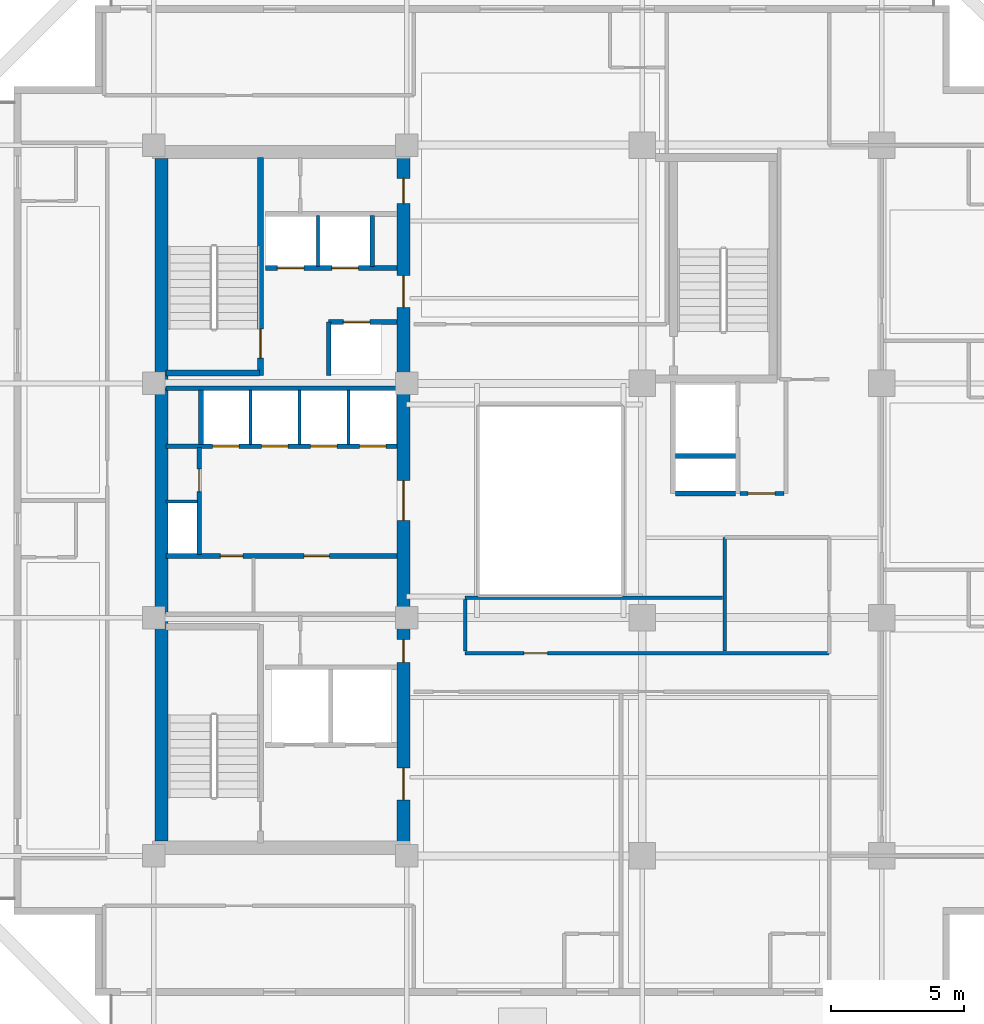
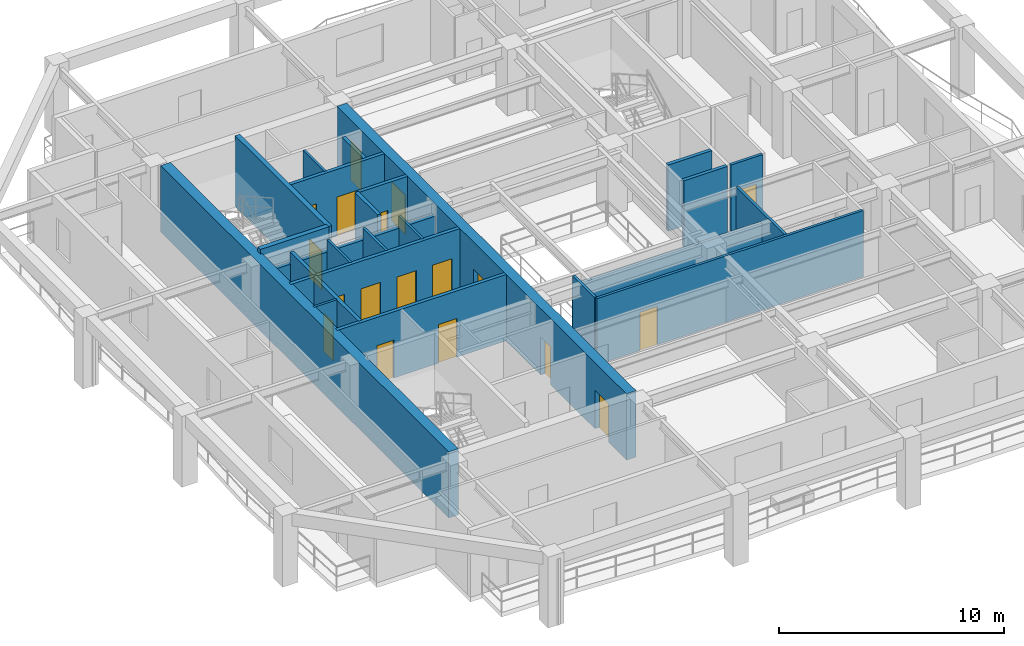
# One storey, part 4 of 11: 25 walls, 18 doors, 18 openings.
"""IFC4 building model written with IfcOpenShell, lengths in metres."""

from ifc_helpers import new_model, si_unit, direction, frame, frame_2d, origin, place, context, subcontext, project, spatial, rectangle, extrude, material, layer, layer_set, type_object, element, fill, save


model = new_model("IFC4")

# Units and contexts
model_context = context("Model", 3, precision=1e-05, world=origin(), true_north=direction((0.0, 1.0)))
body_context = subcontext(model_context, "Body", "Model", "MODEL_VIEW")
ifc_project = project(units=[si_unit("LENGTHUNIT", "METRE"), si_unit("AREAUNIT", "SQUARE_METRE"), si_unit("VOLUMEUNIT", "CUBIC_METRE"), si_unit("PLANEANGLEUNIT", "RADIAN"), si_unit("MASSUNIT", "GRAM", prefix="KILO")], contexts=[model_context])

# Site, building, storey
site_placement = place(None, origin())
site = spatial("IfcSite", under=ifc_project, at=site_placement, CompositionType="ELEMENT")
building_placement = place(site_placement, origin())
building = spatial("IfcBuilding", under=site, at=building_placement, Name="Kundavana Baori Tower", CompositionType="ELEMENT")
storey_placement = place(building_placement, frame((0.0, 0.0, 123.25)))
storey = spatial("IfcBuildingStorey", under=building, at=storey_placement, Name="L29", CompositionType="ELEMENT", Elevation=123.25)

# Wall, opening, door
ifc_material_1 = material(Name="Concrete C50/60", Category="concrete")
ifc_layer_1 = layer(ifc_material_1, 0.39990234375, Name="WL-CORE-400")
ifc_layer_set_1 = layer_set([ifc_layer_1], Name="Concrete C50/60")
wall_type_1 = type_object("IfcWallType", Name="WL-CORE-400", PredefinedType="SHEAR", material=ifc_layer_set_1)
wall_1_placement = place(storey_placement, frame((19.4599609375, 33.300048828125, 0.0), z_axis=(0.0, 0.0, 1.0), x_axis=(0.0, 1.0, 0.0)))
wall_1 = element("IfcWall", 1, at=wall_1_placement, inside=storey, type_object=wall_type_1, Name="WL-L29-ST2-E", PredefinedType="SHEAR", context=body_context, shape_type="SweptSolid", body=[
    extrude(rectangle(XDim=8.179931640625, YDim=0.239990234375, at=frame_2d((4.08984375, 0.0))), origin(), (0.0, 0.0, 1.0), 3.85009765625),
])
opening_1_placement = place(wall_1_placement, frame((0.64990234375, 0.0, 0.0)))
opening_1 = element("IfcOpeningElement", 2, at=opening_1_placement, cuts=wall_1, Name="Opening FD-110", PredefinedType="OPENING", context=body_context, shape_type="SweptSolid", body=[
    extrude(rectangle(XDim=1.10009765625, YDim=2.10009765625, at=frame_2d((0.550048828125, 1.050048828125))), frame((0.0, 0.1298828125, 0.0), z_axis=(0.0, -1.0, 0.0), x_axis=(1.0, 0.0, 0.0)), (0.0, 0.0, 1.0), 0.260009765625),
])
ifc_material_2 = material(Name="Galvanised Steel Fire-Rated Door Leaf", Category="steel")
door_type_1 = type_object("IfcDoorType", Name="DR-FD120-1100", OperationType="NOTDEFINED", PredefinedType="DOOR", material=ifc_material_2)
door_1_placement = place(opening_1_placement, origin())
door_1 = element("IfcDoor", 3, at=door_1_placement, inside=storey, type_object=door_type_1, Name="DR-L29-ST2", OperationType="SINGLE_SWING_RIGHT", OverallHeight=2.10009765625, OverallWidth=1.10009765625, PredefinedType="DOOR", context=body_context, shape_type="SweptSolid", body=[
    extrude(rectangle(XDim=1.10009765625, YDim=2.10009765625, at=frame_2d((0.550048828125, 1.050048828125))), frame((0.0, 0.02490234375, 0.0), z_axis=(0.0, -1.0, 0.0), x_axis=(1.0, 0.0, 0.0)), (0.0, 0.0, 1.0), 0.050048828125),
])
fill(opening_1, door_1)

# Walls
wall_2_placement = place(storey_placement, frame((15.89990234375, 33.389892578125, 0.0), z_axis=(0.0, 0.0, 1.0), x_axis=(1.0, 0.0, 0.0)))
element("IfcWall", 4, at=wall_2_placement, inside=storey, type_object=wall_type_1, Name="WL-L29-ST2-S", PredefinedType="SHEAR", context=body_context, shape_type="SweptSolid", body=[
    extrude(rectangle(XDim=3.52001953125, YDim=0.239990234375, at=frame_2d((1.760009765625, 0.0))), origin(), (0.0, 0.0, 1.0), 3.85009765625),
])
ifc_material_3 = material(Name="Concrete C50/60", Category="concrete")
ifc_layer_2 = layer(ifc_material_3, 0.5, Name="WL-CORE-500")
ifc_layer_set_2 = layer_set([ifc_layer_2], Name="Concrete C50/60")
wall_type_2 = type_object("IfcWallType", Name="WL-CORE-500", PredefinedType="SHEAR", material=ifc_layer_set_2)
wall_3_placement = place(storey_placement, frame((15.739990234375, 15.81005859375, 0.0), z_axis=(0.0, 0.0, 1.0), x_axis=(0.0, 1.0, 0.0)))
element("IfcWall", 5, at=wall_3_placement, inside=storey, type_object=wall_type_2, Name="L29 Offset Core West Shear Wall", PredefinedType="SHEAR", context=body_context, shape_type="SweptSolid", body=[
    extrude(rectangle(XDim=25.6298828125, YDim=0.5, at=frame_2d((12.81494140625, 0.0))), origin(), (0.0, 0.0, 1.0), 3.60009765625),
])

# Wall, openings, doors
wall_4_placement = place(storey_placement, frame((24.830078125, 15.739990234375, 0.0), z_axis=(0.0, 0.0, 1.0), x_axis=(0.0, 1.0, 0.0)))
wall_4 = element("IfcWall", 6, at=wall_4_placement, inside=storey, type_object=wall_type_2, Name="L29 Offset Core East Shear Wall", PredefinedType="SHEAR", context=body_context, shape_type="SweptSolid", body=[
    extrude(rectangle(XDim=25.760009765625, YDim=0.5, at=frame_2d((12.8798828125, 0.0))), origin(), (0.0, 0.0, 1.0), 3.60009765625),
])
opening_2_placement = place(wall_4_placement, frame((1.610107421875, 0.0, 0.0)))
opening_2 = element("IfcOpeningElement", 7, at=opening_2_placement, cuts=wall_4, Name="Opening FD-120", PredefinedType="OPENING", context=body_context, shape_type="SweptSolid", body=[
    extrude(rectangle(XDim=1.199951171875, YDim=2.10009765625, at=frame_2d((0.60009765625, 1.050048828125))), frame((0.0, 0.260009765625, 0.0), z_axis=(0.0, -1.0, 0.0), x_axis=(1.0, 0.0, 0.0)), (0.0, 0.0, 1.0), 0.52001953125),
])
opening_3_placement = place(wall_4_placement, frame((6.780029296875, 0.0, 0.0)))
opening_3 = element("IfcOpeningElement", 8, at=opening_3_placement, cuts=wall_4, Name="Opening FD-085", PredefinedType="OPENING", context=body_context, shape_type="SweptSolid", body=[
    extrude(rectangle(XDim=0.85009765625, YDim=2.06005859375, at=frame_2d((0.425048828125, 1.030029296875))), frame((0.0, 0.260009765625, 0.0), z_axis=(0.0, -1.0, 0.0), x_axis=(1.0, 0.0, 0.0)), (0.0, 0.0, 1.0), 0.52001953125),
])
opening_4_placement = place(wall_4_placement, frame((12.110107421875, 0.0, 0.0)))
opening_4 = element("IfcOpeningElement", 9, at=opening_4_placement, cuts=wall_4, Name="Opening FD-150", PredefinedType="OPENING", context=body_context, shape_type="SweptSolid", body=[
    extrude(rectangle(XDim=1.5, YDim=2.1201171875, at=frame_2d((0.75, 1.06005859375))), frame((0.0, 0.260009765625, 0.0), z_axis=(0.0, -1.0, 0.0), x_axis=(1.0, 0.0, 0.0)), (0.0, 0.0, 1.0), 0.52001953125),
])
opening_5_placement = place(wall_4_placement, frame((20.110107421875, 0.0, 0.0)))
opening_5 = element("IfcOpeningElement", 10, at=opening_5_placement, cuts=wall_4, Name="Opening FD-122", PredefinedType="OPENING", context=body_context, shape_type="SweptSolid", body=[
    extrude(rectangle(XDim=1.199951171875, YDim=2.1201171875, at=frame_2d((0.60009765625, 1.06005859375))), frame((0.0, 0.260009765625, 0.0), z_axis=(0.0, -1.0, 0.0), x_axis=(1.0, 0.0, 0.0)), (0.0, 0.0, 1.0), 0.52001953125),
])
opening_6_placement = place(wall_4_placement, frame((24.010009765625, 0.0, 0.0)))
opening_6 = element("IfcOpeningElement", 11, at=opening_6_placement, cuts=wall_4, Name="Opening FD-095", PredefinedType="OPENING", context=body_context, shape_type="SweptSolid", body=[
    extrude(rectangle(XDim=0.949951171875, YDim=2.10009765625, at=frame_2d((0.47509765625, 1.050048828125))), frame((0.0, 0.260009765625, 0.0), z_axis=(0.0, -1.0, 0.0), x_axis=(1.0, 0.0, 0.0)), (0.0, 0.0, 1.0), 0.52001953125),
])
ifc_material_4 = material(Name="Galvanised Steel Fire-Rated Door Leaf", Category="steel")
door_type_2 = type_object("IfcDoorType", Name="DR-FD120-1200", OperationType="NOTDEFINED", PredefinedType="DOOR", material=ifc_material_4)
door_2_placement = place(opening_2_placement, frame((1.199951171875, 0.0, 0.0), z_axis=(0.0, 0.0, 1.0), x_axis=(-1.0, 0.0, 0.0)))
door_2 = element("IfcDoor", 12, at=door_2_placement, inside=storey, type_object=door_type_2, Name="DR-L29-FFLOB-E", OperationType="SINGLE_SWING_RIGHT", OverallHeight=2.10009765625, OverallWidth=1.199951171875, PredefinedType="DOOR", context=body_context, shape_type="SweptSolid", body=[
    extrude(rectangle(XDim=1.199951171875, YDim=2.10009765625, at=frame_2d((0.60009765625, 1.050048828125))), frame((0.0, 0.02490234375, 0.0), z_axis=(0.0, -1.0, 0.0), x_axis=(1.0, 0.0, 0.0)), (0.0, 0.0, 1.0), 0.050048828125),
])
fill(opening_2, door_2)
ifc_material_5 = material(Name="Galvanised Steel Fire-Rated Door Leaf", Category="steel")
door_type_3 = type_object("IfcDoorType", Name="DR-FD60-1200", OperationType="NOTDEFINED", PredefinedType="DOOR", material=ifc_material_5)
door_3_placement = place(opening_5_placement, frame((1.199951171875, 0.0, 0.0), z_axis=(0.0, 0.0, 1.0), x_axis=(-1.0, 0.0, 0.0)))
door_3 = element("IfcDoor", 13, at=door_3_placement, inside=storey, type_object=door_type_3, Name="DR-L29-HRLOB-E", OperationType="SINGLE_SWING_RIGHT", OverallHeight=2.1201171875, OverallWidth=1.199951171875, PredefinedType="DOOR", context=body_context, shape_type="SweptSolid", body=[
    extrude(rectangle(XDim=1.199951171875, YDim=2.1201171875, at=frame_2d((0.60009765625, 1.06005859375))), frame((0.0, 0.02490234375, 0.0), z_axis=(0.0, -1.0, 0.0), x_axis=(1.0, 0.0, 0.0)), (0.0, 0.0, 1.0), 0.050048828125),
])
fill(opening_5, door_3)
ifc_material_6 = material(Name="Galvanised Steel Fire-Rated Door Leaf", Category="steel")
door_type_4 = type_object("IfcDoorType", Name="DR-FD60-1500", OperationType="NOTDEFINED", PredefinedType="DOOR", material=ifc_material_6)
door_4_placement = place(opening_4_placement, frame((1.5, 0.0, 0.0), z_axis=(0.0, 0.0, 1.0), x_axis=(-1.0, 0.0, 0.0)))
door_4 = element("IfcDoor", 14, at=door_4_placement, inside=storey, type_object=door_type_4, Name="DR-L29-LIFTHALL-E", OperationType="SINGLE_SWING_LEFT", OverallHeight=2.1201171875, OverallWidth=1.5, PredefinedType="DOOR", context=body_context, shape_type="SweptSolid", body=[
    extrude(rectangle(XDim=1.5, YDim=2.1201171875, at=frame_2d((0.75, 1.06005859375))), frame((0.0, 0.02490234375, 0.0), z_axis=(0.0, -1.0, 0.0), x_axis=(1.0, 0.0, 0.0)), (0.0, 0.0, 1.0), 0.050048828125),
])
fill(opening_4, door_4)
ifc_material_7 = material(Name="Galvanised Steel Fire-Rated Door Leaf", Category="steel")
door_type_5 = type_object("IfcDoorType", Name="DR-FD60-850", OperationType="NOTDEFINED", PredefinedType="DOOR", material=ifc_material_7)
door_5_placement = place(opening_3_placement, frame((0.85009765625, 0.0, 0.0), z_axis=(0.0, 0.0, 1.0), x_axis=(-1.0, 0.0, 0.0)))
door_5 = element("IfcDoor", 15, at=door_5_placement, inside=storey, type_object=door_type_5, Name="DR-L29-CSMK2", OperationType="SINGLE_SWING_LEFT", OverallHeight=2.06005859375, OverallWidth=0.85009765625, PredefinedType="DOOR", context=body_context, shape_type="SweptSolid", body=[
    extrude(rectangle(XDim=0.85009765625, YDim=2.06005859375, at=frame_2d((0.425048828125, 1.030029296875))), frame((0.0, 0.02490234375, 0.0), z_axis=(0.0, -1.0, 0.0), x_axis=(1.0, 0.0, 0.0)), (0.0, 0.0, 1.0), 0.050048828125),
])
fill(opening_3, door_5)
ifc_material_8 = material(Name="Engineered Teak Fire-Rated Timber Door Leaf", Category="wood")
door_type_6 = type_object("IfcDoorType", Name="DR-FD60-950", OperationType="NOTDEFINED", PredefinedType="DOOR", material=ifc_material_8)
door_6_placement = place(opening_6_placement, frame((0.949951171875, 0.0, 0.0), z_axis=(0.0, 0.0, 1.0), x_axis=(-1.0, 0.0, 0.0)))
door_6 = element("IfcDoor", 16, at=door_6_placement, inside=storey, type_object=door_type_6, Name="DR-L29-CSRV2", OperationType="SINGLE_SWING_LEFT", OverallHeight=2.10009765625, OverallWidth=0.949951171875, PredefinedType="DOOR", context=body_context, shape_type="SweptSolid", body=[
    extrude(rectangle(XDim=0.949951171875, YDim=2.10009765625, at=frame_2d((0.47509765625, 1.050048828125))), frame((0.0, 0.02490234375, 0.0), z_axis=(0.0, -1.0, 0.0), x_axis=(1.0, 0.0, 0.0)), (0.0, 0.0, 1.0), 0.050048828125),
])
fill(opening_6, door_6)

# Walls
ifc_material_9 = material(Name="Acoustic Gypsum Plasterboard on Galvanised Steel Studs", Category="steel")
ifc_layer_3 = layer(ifc_material_9, 0.1201171875, Name="WL-PART-120")
ifc_layer_set_3 = layer_set([ifc_layer_3], Name="Acoustic Gypsum Plasterboard on Galvanised Steel Studs")
wall_type_3 = type_object("IfcWallType", Name="WL-PART-120", PredefinedType="PARTITIONING", material=ifc_layer_set_3)
wall_5_placement = place(storey_placement, frame((15.89990234375, 28.56005859375, 0.0), z_axis=(0.0, 0.0, 1.0), x_axis=(1.0, 0.0, 0.0)))
element("IfcWall", 17, at=wall_5_placement, inside=storey, type_object=wall_type_3, Name="WL-L29-RSRW-N", PredefinedType="PARTITIONING", context=body_context, shape_type="SweptSolid", body=[
    extrude(rectangle(XDim=1.2001953125, YDim=0.1201171875, at=frame_2d((0.60009765625, 0.0))), origin(), (0.0, 0.0, 1.0), 3.60009765625),
])
for number, where, z_axis, x_axis, name in (
    (18, (19.080078125, 30.699951171875, 0.0), (0.0, 0.0, 1.0), (0.0, 1.0, 0.0), "WL-L29-LPMID-D1"),
    (19, (20.919921875, 30.699951171875, 0.0), (0.0, 0.0, 1.0), (0.0, 1.0, 0.0), "WL-L29-LPMID-D2"),
    (20, (22.760009765625, 30.699951171875, 0.0), (0.0, 0.0, 1.0), (0.0, 1.0, 0.0), "WL-L29-LPMID-D3"),
):
    element("IfcWall", number, at=place(storey_placement, frame(where, z_axis=z_axis, x_axis=x_axis)), inside=storey, type_object=wall_type_3, Name=name, PredefinedType="PARTITIONING", context=body_context, shape_type="SweptSolid", body=[
        extrude(rectangle(XDim=2.050048828125, YDim=0.1201171875, at=frame_2d((1.02490234375, 0.0))), origin(), (0.0, 0.0, 1.0), 3.60009765625),
    ])
wall_6_placement = place(storey_placement, frame((21.6201171875, 37.39990234375, 0.0), z_axis=(0.0, 0.0, 1.0), x_axis=(0.0, 1.0, 0.0)))
element("IfcWall", 21, at=wall_6_placement, inside=storey, type_object=wall_type_3, Name="WL-L29-HR-DIV1", PredefinedType="PARTITIONING", context=body_context, shape_type="SweptSolid", body=[
    extrude(rectangle(XDim=1.900146484375, YDim=0.1201171875, at=frame_2d((0.9501953125, 0.0))), origin(), (0.0, 0.0, 1.0), 3.60009765625),
])

# Wall, opening, door
ifc_material_10 = material(Name="Acoustic Gypsum Plasterboard on Galvanised Steel Studs", Category="steel")
ifc_layer_4 = layer(ifc_material_10, 0.135009765625, Name="WL-PART-135")
ifc_layer_set_4 = layer_set([ifc_layer_4], Name="Acoustic Gypsum Plasterboard on Galvanised Steel Studs")
wall_type_4 = type_object("IfcWallType", Name="WL-PART-135", PredefinedType="PARTITIONING", material=ifc_layer_set_4)
wall_7_placement = place(storey_placement, frame((27.14990234375, 22.860107421875, 0.0), z_axis=(0.0, 0.0, 1.0), x_axis=(1.0, 0.0, 0.0)))
wall_7 = element("IfcWall", 22, at=wall_7_placement, inside=storey, type_object=wall_type_4, Name="WL-L29-HST", PredefinedType="PARTITIONING", context=body_context, shape_type="SweptSolid", body=[
    extrude(rectangle(XDim=13.670166015625, YDim=0.135009765625, at=frame_2d((6.8349609375, 0.0))), origin(), (0.0, 0.0, 1.0), 3.60009765625),
])
opening_7_placement = place(wall_7_placement, frame((2.199951171875, 0.0, 0.0)))
opening_7 = element("IfcOpeningElement", 23, at=opening_7_placement, cuts=wall_7, Name="Opening ID-090", PredefinedType="OPENING", context=body_context, shape_type="SweptSolid", body=[
    extrude(rectangle(XDim=0.89990234375, YDim=2.080078125, at=frame_2d((0.449951171875, 1.0400390625))), frame((0.0, 0.07763671875, 0.0), z_axis=(0.0, -1.0, 0.0), x_axis=(1.0, 0.0, 0.0)), (0.0, 0.0, 1.0), 0.155029296875),
])
ifc_material_11 = material(Name="Engineered Teak Solid-Core Timber Veneer", Category="wood")
door_type_7 = type_object("IfcDoorType", Name="DR-INT-900", OperationType="NOTDEFINED", PredefinedType="DOOR", material=ifc_material_11)
door_7_placement = place(opening_7_placement, origin())
door_7 = element("IfcDoor", 24, at=door_7_placement, inside=storey, type_object=door_type_7, Name="DR-L29-HPNT", OperationType="SINGLE_SWING_LEFT", OverallHeight=2.080078125, OverallWidth=0.89990234375, PredefinedType="DOOR", context=body_context, shape_type="SweptSolid", body=[
    extrude(rectangle(XDim=0.89990234375, YDim=2.080078125, at=frame_2d((0.449951171875, 1.0400390625))), frame((0.0, 0.02490234375, 0.0), z_axis=(0.0, -1.0, 0.0), x_axis=(1.0, 0.0, 0.0)), (0.0, 0.0, 1.0), 0.050048828125),
])
fill(opening_7, door_7)

# Walls
wall_8_placement = place(storey_placement, frame((36.89990234375, 22.93994140625, 0.0), z_axis=(0.0, 0.0, 1.0), x_axis=(0.0, 1.0, 0.0)))
element("IfcWall", 25, at=wall_8_placement, inside=storey, type_object=wall_type_4, Name="WL-L29-HKD", PredefinedType="PARTITIONING", context=body_context, shape_type="SweptSolid", body=[
    extrude(rectangle(XDim=4.280029296875, YDim=0.135009765625, at=frame_2d((2.14013671875, 0.0))), origin(), (0.0, 0.0, 1.0), 3.60009765625),
])
wall_9_placement = place(storey_placement, frame((27.14990234375, 24.949951171875, 0.0), z_axis=(0.0, 0.0, 1.0), x_axis=(1.0, 0.0, 0.0)))
element("IfcWall", 26, at=wall_9_placement, inside=storey, type_object=wall_type_4, Name="WL-L29-HPN1", PredefinedType="PARTITIONING", context=body_context, shape_type="SweptSolid", body=[
    extrude(rectangle(XDim=9.670166015625, YDim=0.135009765625, at=frame_2d((4.8349609375, 0.0))), origin(), (0.0, 0.0, 1.0), 3.050048828125),
])
wall_10_placement = place(storey_placement, frame((27.14990234375, 22.93994140625, 0.0), z_axis=(0.0, 0.0, 1.0), x_axis=(0.0, 1.0, 0.0)))
element("IfcWall", 27, at=wall_10_placement, inside=storey, type_object=wall_type_4, Name="WL-L29-HPN2", PredefinedType="PARTITIONING", context=body_context, shape_type="SweptSolid", body=[
    extrude(rectangle(XDim=1.93994140625, YDim=0.135009765625, at=frame_2d((0.969970703125, 0.0))), origin(), (0.0, 0.0, 1.0), 3.60009765625),
])

# Wall, opening, door
ifc_material_12 = material(Name="Fire-Rated Gypsum Drywall on Galvanised Steel Studs", Category="steel")
ifc_layer_5 = layer(ifc_material_12, 0.14990234375, Name="WL-PART-150")
ifc_layer_set_5 = layer_set([ifc_layer_5], Name="Fire-Rated Gypsum Drywall on Galvanised Steel Studs")
wall_type_5 = type_object("IfcWallType", Name="WL-PART-150", PredefinedType="PARTITIONING", material=ifc_layer_set_5)
wall_11_placement = place(storey_placement, frame((37.47998046875, 28.860107421875, 0.0), z_axis=(0.0, 0.0, 1.0), x_axis=(1.0, 0.0, 0.0)))
wall_11 = element("IfcWall", 28, at=wall_11_placement, inside=storey, type_object=wall_type_5, Name="WL-L29-SVLOB-S", PredefinedType="PARTITIONING", context=body_context, shape_type="SweptSolid", body=[
    extrude(rectangle(XDim=1.64013671875, YDim=0.14990234375, at=frame_2d((0.820068359375, 0.0))), origin(), (0.0, 0.0, 1.0), 3.60009765625),
])
opening_8_placement = place(wall_11_placement, frame((0.300048828125, 0.0, 0.0)))
opening_8 = element("IfcOpeningElement", 29, at=opening_8_placement, cuts=wall_11, Name="Opening FD-100", PredefinedType="OPENING", context=body_context, shape_type="SweptSolid", body=[
    extrude(rectangle(XDim=1.0, YDim=2.10009765625, at=frame_2d((0.5, 1.050048828125))), frame((0.0, 0.0849609375, 0.0), z_axis=(0.0, -1.0, 0.0), x_axis=(1.0, 0.0, 0.0)), (0.0, 0.0, 1.0), 0.169921875),
])
ifc_material_13 = material(Name="Engineered Teak Fire-Rated Timber Door Leaf", Category="wood")
door_type_8 = type_object("IfcDoorType", Name="DR-FD60-1000", OperationType="NOTDEFINED", PredefinedType="DOOR", material=ifc_material_13)
door_8_placement = place(opening_8_placement, origin())
door_8 = element("IfcDoor", 30, at=door_8_placement, inside=storey, type_object=door_type_8, Name="DR-L29-SVLOB-OUT", OperationType="SINGLE_SWING_LEFT", OverallHeight=2.10009765625, OverallWidth=1.0, PredefinedType="DOOR", context=body_context, shape_type="SweptSolid", body=[
    extrude(rectangle(XDim=1.0, YDim=2.10009765625, at=frame_2d((0.5, 1.050048828125))), frame((0.0, 0.02490234375, 0.0), z_axis=(0.0, -1.0, 0.0), x_axis=(1.0, 0.0, 0.0)), (0.0, 0.0, 1.0), 0.050048828125),
])
fill(opening_8, door_8)

# Wall, openings, doors
ifc_material_14 = material(Name="Autoclaved Aerated Concrete Blockwork Masonry", Category="masonry")
ifc_layer_6 = layer(ifc_material_14, 0.179931640625, Name="WL-SHAFT-180")
ifc_layer_set_6 = layer_set([ifc_layer_6], Name="Autoclaved Aerated Concrete Blockwork Masonry")
wall_type_6 = type_object("IfcWallType", Name="WL-SHAFT-180", PredefinedType="SOLIDWALL", material=ifc_layer_set_6)
wall_12_placement = place(storey_placement, frame((15.89990234375, 26.52001953125, 0.0), z_axis=(0.0, 0.0, 1.0), x_axis=(1.0, 0.0, 0.0)))
wall_12 = element("IfcWall", 31, at=wall_12_placement, inside=storey, type_object=wall_type_6, Name="WL-L29-LPLOW-N", PredefinedType="SOLIDWALL", context=body_context, shape_type="SweptSolid", body=[
    extrude(rectangle(XDim=8.68017578125, YDim=0.179931640625, at=frame_2d((4.340087890625, 0.0))), origin(), (0.0, 0.0, 1.0), 3.60009765625),
])
opening_9_placement = place(wall_12_placement, frame((2.050048828125, 0.0, 0.0)))
opening_9 = element("IfcOpeningElement", 32, at=opening_9_placement, cuts=wall_12, Name="Opening FD-085", PredefinedType="OPENING", context=body_context, shape_type="SweptSolid", body=[
    extrude(rectangle(XDim=0.85009765625, YDim=2.06005859375, at=frame_2d((0.425048828125, 1.030029296875))), frame((0.0, 0.10009765625, 0.0), z_axis=(0.0, -1.0, 0.0), x_axis=(1.0, 0.0, 0.0)), (0.0, 0.0, 1.0), 0.199951171875),
])
opening_10_placement = place(wall_12_placement, frame((5.199951171875, 0.0, 0.0)))
opening_10 = element("IfcOpeningElement", 33, at=opening_10_placement, cuts=wall_12, Name="Opening FD-095", PredefinedType="OPENING", context=body_context, shape_type="SweptSolid", body=[
    extrude(rectangle(XDim=0.949951171875, YDim=2.10009765625, at=frame_2d((0.47509765625, 1.050048828125))), frame((0.0, 0.10009765625, 0.0), z_axis=(0.0, -1.0, 0.0), x_axis=(1.0, 0.0, 0.0)), (0.0, 0.0, 1.0), 0.199951171875),
])
door_9_placement = place(opening_9_placement, origin())
door_9 = element("IfcDoor", 34, at=door_9_placement, inside=storey, type_object=door_type_5, Name="DR-L29-FRLOW1", OperationType="SINGLE_SWING_LEFT", OverallHeight=2.06005859375, OverallWidth=0.85009765625, PredefinedType="DOOR", context=body_context, shape_type="SweptSolid", body=[
    extrude(rectangle(XDim=0.85009765625, YDim=2.06005859375, at=frame_2d((0.425048828125, 1.030029296875))), frame((0.0, 0.02490234375, 0.0), z_axis=(0.0, -1.0, 0.0), x_axis=(1.0, 0.0, 0.0)), (0.0, 0.0, 1.0), 0.050048828125),
])
fill(opening_9, door_9)
door_10_placement = place(opening_10_placement, origin())
door_10 = element("IfcDoor", 35, at=door_10_placement, inside=storey, type_object=door_type_6, Name="DR-L29-FRLOW2", OperationType="SINGLE_SWING_RIGHT", OverallHeight=2.10009765625, OverallWidth=0.949951171875, PredefinedType="DOOR", context=body_context, shape_type="SweptSolid", body=[
    extrude(rectangle(XDim=0.949951171875, YDim=2.10009765625, at=frame_2d((0.47509765625, 1.050048828125))), frame((0.0, 0.02490234375, 0.0), z_axis=(0.0, -1.0, 0.0), x_axis=(1.0, 0.0, 0.0)), (0.0, 0.0, 1.0), 0.050048828125),
])
fill(opening_10, door_10)

# Wall, opening, door
wall_13_placement = place(storey_placement, frame((17.159912109375, 26.580078125, 0.0), z_axis=(0.0, 0.0, 1.0), x_axis=(0.0, 1.0, 0.0)))
wall_13 = element("IfcWall", 36, at=wall_13_placement, inside=storey, type_object=wall_type_6, Name="WL-L29-RSRW-E", PredefinedType="SOLIDWALL", context=body_context, shape_type="SweptSolid", body=[
    extrude(rectangle(XDim=4.02001953125, YDim=0.179931640625, at=frame_2d((2.010009765625, 0.0))), origin(), (0.0, 0.0, 1.0), 3.60009765625),
])
opening_11_placement = place(wall_13_placement, frame((2.35009765625, 0.0, 0.0)))
opening_11 = element("IfcOpeningElement", 37, at=opening_11_placement, cuts=wall_13, Name="Opening FD-085", PredefinedType="OPENING", context=body_context, shape_type="SweptSolid", body=[
    extrude(rectangle(XDim=0.85009765625, YDim=2.06005859375, at=frame_2d((0.425048828125, 1.030029296875))), frame((0.0, 0.10009765625, 0.0), z_axis=(0.0, -1.0, 0.0), x_axis=(1.0, 0.0, 0.0)), (0.0, 0.0, 1.0), 0.199951171875),
])
door_11_placement = place(opening_11_placement, origin())
door_11 = element("IfcDoor", 38, at=door_11_placement, inside=storey, type_object=door_type_5, Name="DR-L29-CLN", OperationType="SINGLE_SWING_RIGHT", OverallHeight=2.06005859375, OverallWidth=0.85009765625, PredefinedType="DOOR", context=body_context, shape_type="SweptSolid", body=[
    extrude(rectangle(XDim=0.85009765625, YDim=2.06005859375, at=frame_2d((0.425048828125, 1.030029296875))), frame((0.0, 0.02490234375, 0.0), z_axis=(0.0, -1.0, 0.0), x_axis=(1.0, 0.0, 0.0)), (0.0, 0.0, 1.0), 0.050048828125),
])
fill(opening_11, door_11)

# Wall, openings, doors
wall_14_placement = place(storey_placement, frame((15.89990234375, 30.639892578125, 0.0), z_axis=(0.0, 0.0, 1.0), x_axis=(1.0, 0.0, 0.0)))
wall_14 = element("IfcWall", 39, at=wall_14_placement, inside=storey, type_object=wall_type_6, Name="WL-L29-LPMID-S", PredefinedType="SOLIDWALL", context=body_context, shape_type="SweptSolid", body=[
    extrude(rectangle(XDim=8.68017578125, YDim=0.179931640625, at=frame_2d((4.340087890625, 0.0))), origin(), (0.0, 0.0, 1.0), 3.60009765625),
])
opening_12_placement = place(wall_14_placement, frame((1.760009765625, 0.0, 0.0)))
opening_12 = element("IfcOpeningElement", 40, at=opening_12_placement, cuts=wall_14, Name="Opening LD-100", PredefinedType="OPENING", context=body_context, shape_type="SweptSolid", body=[
    extrude(rectangle(XDim=1.0, YDim=2.10009765625, at=frame_2d((0.5, 1.050048828125))), frame((0.0, 0.10009765625, 0.0), z_axis=(0.0, -1.0, 0.0), x_axis=(1.0, 0.0, 0.0)), (0.0, 0.0, 1.0), 0.199951171875),
])
opening_13_placement = place(wall_14_placement, frame((3.60009765625, 0.0, 0.0)))
opening_13 = element("IfcOpeningElement", 41, at=opening_13_placement, cuts=wall_14, Name="Opening LD-100", PredefinedType="OPENING", context=body_context, shape_type="SweptSolid", body=[
    extrude(rectangle(XDim=1.0, YDim=2.10009765625, at=frame_2d((0.5, 1.050048828125))), frame((0.0, 0.10009765625, 0.0), z_axis=(0.0, -1.0, 0.0), x_axis=(1.0, 0.0, 0.0)), (0.0, 0.0, 1.0), 0.199951171875),
])
opening_14_placement = place(wall_14_placement, frame((5.43994140625, 0.0, 0.0)))
opening_14 = element("IfcOpeningElement", 42, at=opening_14_placement, cuts=wall_14, Name="Opening LD-100", PredefinedType="OPENING", context=body_context, shape_type="SweptSolid", body=[
    extrude(rectangle(XDim=1.0, YDim=2.10009765625, at=frame_2d((0.5, 1.050048828125))), frame((0.0, 0.10009765625, 0.0), z_axis=(0.0, -1.0, 0.0), x_axis=(1.0, 0.0, 0.0)), (0.0, 0.0, 1.0), 0.199951171875),
])
opening_15_placement = place(wall_14_placement, frame((7.280029296875, 0.0, 0.0)))
opening_15 = element("IfcOpeningElement", 43, at=opening_15_placement, cuts=wall_14, Name="Opening LD-100", PredefinedType="OPENING", context=body_context, shape_type="SweptSolid", body=[
    extrude(rectangle(XDim=1.0, YDim=2.10009765625, at=frame_2d((0.5, 1.050048828125))), frame((0.0, 0.10009765625, 0.0), z_axis=(0.0, -1.0, 0.0), x_axis=(1.0, 0.0, 0.0)), (0.0, 0.0, 1.0), 0.199951171875),
])
ifc_material_15 = material(Name="Galvanised Steel Fire-Rated Door Leaf", Category="steel")
door_type_9 = type_object("IfcDoorType", Name="DR-SLIDE-LD1000", OperationType="NOTDEFINED", PredefinedType="DOOR", material=ifc_material_15)
door_12_placement = place(opening_12_placement, frame((1.0, 0.0, 0.0), z_axis=(0.0, 0.0, 1.0), x_axis=(-1.0, 0.0, 0.0)))
door_12 = element("IfcDoor", 44, at=door_12_placement, inside=storey, type_object=door_type_9, Name="DR-L29-LD-LP-05", OperationType="DOUBLE_DOOR_SLIDING", OverallHeight=2.10009765625, OverallWidth=1.0, PredefinedType="DOOR", context=body_context, shape_type="SweptSolid", body=[
    extrude(rectangle(XDim=1.0, YDim=2.10009765625, at=frame_2d((0.5, 1.050048828125))), frame((0.0, 0.02490234375, 0.0), z_axis=(0.0, -1.0, 0.0), x_axis=(1.0, 0.0, 0.0)), (0.0, 0.0, 1.0), 0.050048828125),
])
fill(opening_12, door_12)
door_13_placement = place(opening_13_placement, frame((1.0, 0.0, 0.0), z_axis=(0.0, 0.0, 1.0), x_axis=(-1.0, 0.0, 0.0)))
door_13 = element("IfcDoor", 45, at=door_13_placement, inside=storey, type_object=door_type_9, Name="DR-L29-LD-LP-06", OperationType="DOUBLE_DOOR_SLIDING", OverallHeight=2.10009765625, OverallWidth=1.0, PredefinedType="DOOR", context=body_context, shape_type="SweptSolid", body=[
    extrude(rectangle(XDim=1.0, YDim=2.10009765625, at=frame_2d((0.5, 1.050048828125))), frame((0.0, 0.02490234375, 0.0), z_axis=(0.0, -1.0, 0.0), x_axis=(1.0, 0.0, 0.0)), (0.0, 0.0, 1.0), 0.050048828125),
])
fill(opening_13, door_13)
door_14_placement = place(opening_14_placement, frame((1.0, 0.0, 0.0), z_axis=(0.0, 0.0, 1.0), x_axis=(-1.0, 0.0, 0.0)))
door_14 = element("IfcDoor", 46, at=door_14_placement, inside=storey, type_object=door_type_9, Name="DR-L29-LD-LP-07", OperationType="DOUBLE_DOOR_SLIDING", OverallHeight=2.10009765625, OverallWidth=1.0, PredefinedType="DOOR", context=body_context, shape_type="SweptSolid", body=[
    extrude(rectangle(XDim=1.0, YDim=2.10009765625, at=frame_2d((0.5, 1.050048828125))), frame((0.0, 0.02490234375, 0.0), z_axis=(0.0, -1.0, 0.0), x_axis=(1.0, 0.0, 0.0)), (0.0, 0.0, 1.0), 0.050048828125),
])
fill(opening_14, door_14)
door_15_placement = place(opening_15_placement, frame((1.0, 0.0, 0.0), z_axis=(0.0, 0.0, 1.0), x_axis=(-1.0, 0.0, 0.0)))
door_15 = element("IfcDoor", 47, at=door_15_placement, inside=storey, type_object=door_type_9, Name="DR-L29-LD-LP-08", OperationType="DOUBLE_DOOR_SLIDING", OverallHeight=2.10009765625, OverallWidth=1.0, PredefinedType="DOOR", context=body_context, shape_type="SweptSolid", body=[
    extrude(rectangle(XDim=1.0, YDim=2.10009765625, at=frame_2d((0.5, 1.050048828125))), frame((0.0, 0.02490234375, 0.0), z_axis=(0.0, -1.0, 0.0), x_axis=(1.0, 0.0, 0.0)), (0.0, 0.0, 1.0), 0.050048828125),
])
fill(opening_15, door_15)

# Walls
wall_15_placement = place(storey_placement, frame((15.89990234375, 32.820068359375, 0.0), z_axis=(0.0, 0.0, 1.0), x_axis=(1.0, 0.0, 0.0)))
element("IfcWall", 48, at=wall_15_placement, inside=storey, type_object=wall_type_6, Name="WL-L29-LPMID-N", PredefinedType="SOLIDWALL", context=body_context, shape_type="SweptSolid", body=[
    extrude(rectangle(XDim=8.68017578125, YDim=0.179931640625, at=frame_2d((4.340087890625, 0.0))), origin(), (0.0, 0.0, 1.0), 2.949951171875),
])
wall_16_placement = place(storey_placement, frame((17.219970703125, 30.699951171875, 0.0), z_axis=(0.0, 0.0, 1.0), x_axis=(0.0, 1.0, 0.0)))
element("IfcWall", 49, at=wall_16_placement, inside=storey, type_object=wall_type_6, Name="WL-L29-LPMID-W", PredefinedType="SOLIDWALL", context=body_context, shape_type="SweptSolid", body=[
    extrude(rectangle(XDim=2.050048828125, YDim=0.179931640625, at=frame_2d((1.02490234375, 0.0))), origin(), (0.0, 0.0, 1.0), 3.60009765625),
])

# Wall, opening, door
wall_17_placement = place(storey_placement, frame((22.02001953125, 35.31005859375, 0.0), z_axis=(0.0, 0.0, 1.0), x_axis=(1.0, 0.0, 0.0)))
wall_17 = element("IfcWall", 50, at=wall_17_placement, inside=storey, type_object=wall_type_6, Name="WL-L29-LP11-N", PredefinedType="SOLIDWALL", context=body_context, shape_type="SweptSolid", body=[
    extrude(rectangle(XDim=2.56005859375, YDim=0.179931640625, at=frame_2d((1.280029296875, 0.0))), origin(), (0.0, 0.0, 1.0), 3.60009765625),
])
opening_16_placement = place(wall_17_placement, frame((0.550048828125, 0.0, 0.0)))
opening_16 = element("IfcOpeningElement", 51, at=opening_16_placement, cuts=wall_17, Name="Opening LD-100", PredefinedType="OPENING", context=body_context, shape_type="SweptSolid", body=[
    extrude(rectangle(XDim=1.0, YDim=2.10009765625, at=frame_2d((0.5, 1.050048828125))), frame((0.0, 0.10009765625, 0.0), z_axis=(0.0, -1.0, 0.0), x_axis=(1.0, 0.0, 0.0)), (0.0, 0.0, 1.0), 0.199951171875),
])
door_16_placement = place(opening_16_placement, origin())
door_16 = element("IfcDoor", 52, at=door_16_placement, inside=storey, type_object=door_type_9, Name="DR-L29-LD-LP11", OperationType="DOUBLE_DOOR_SLIDING", OverallHeight=2.10009765625, OverallWidth=1.0, PredefinedType="DOOR", context=body_context, shape_type="SweptSolid", body=[
    extrude(rectangle(XDim=1.0, YDim=2.10009765625, at=frame_2d((0.5, 1.050048828125))), frame((0.0, 0.02490234375, 0.0), z_axis=(0.0, -1.0, 0.0), x_axis=(1.0, 0.0, 0.0)), (0.0, 0.0, 1.0), 0.050048828125),
])
fill(opening_16, door_16)

# Wall
wall_18_placement = place(storey_placement, frame((22.02001953125, 33.300048828125, 0.0), z_axis=(0.0, 0.0, 1.0), x_axis=(0.0, 1.0, 0.0)))
element("IfcWall", 53, at=wall_18_placement, inside=storey, type_object=wall_type_6, Name="WL-L29-LP11-W", PredefinedType="SOLIDWALL", context=body_context, shape_type="SweptSolid", body=[
    extrude(rectangle(XDim=2.010009765625, YDim=0.179931640625, at=frame_2d((1.0048828125, 0.0))), origin(), (0.0, 0.0, 1.0), 3.60009765625),
])

# Wall, openings, doors
wall_19_placement = place(storey_placement, frame((19.639892578125, 37.340087890625, 0.0), z_axis=(0.0, 0.0, 1.0), x_axis=(1.0, 0.0, 0.0)))
wall_19 = element("IfcWall", 54, at=wall_19_placement, inside=storey, type_object=wall_type_6, Name="WL-L29-HRLOB-N", PredefinedType="SOLIDWALL", context=body_context, shape_type="SweptSolid", body=[
    extrude(rectangle(XDim=4.940185546875, YDim=0.179931640625, at=frame_2d((2.47021484375, 0.0))), origin(), (0.0, 0.0, 1.0), 3.60009765625),
])
opening_17_placement = place(wall_19_placement, frame((0.449951171875, 0.0, 0.0)))
opening_17 = element("IfcOpeningElement", 55, at=opening_17_placement, cuts=wall_19, Name="Opening LD-100", PredefinedType="OPENING", context=body_context, shape_type="SweptSolid", body=[
    extrude(rectangle(XDim=1.0, YDim=2.10009765625, at=frame_2d((0.5, 1.050048828125))), frame((0.0, 0.10009765625, 0.0), z_axis=(0.0, -1.0, 0.0), x_axis=(1.0, 0.0, 0.0)), (0.0, 0.0, 1.0), 0.199951171875),
])
opening_18_placement = place(wall_19_placement, frame((2.5, 0.0, 0.0)))
opening_18 = element("IfcOpeningElement", 56, at=opening_18_placement, cuts=wall_19, Name="Opening LD-100", PredefinedType="OPENING", context=body_context, shape_type="SweptSolid", body=[
    extrude(rectangle(XDim=1.0, YDim=2.10009765625, at=frame_2d((0.5, 1.050048828125))), frame((0.0, 0.10009765625, 0.0), z_axis=(0.0, -1.0, 0.0), x_axis=(1.0, 0.0, 0.0)), (0.0, 0.0, 1.0), 0.199951171875),
])
door_17_placement = place(opening_17_placement, frame((1.0, 0.0, 0.0), z_axis=(0.0, 0.0, 1.0), x_axis=(-1.0, 0.0, 0.0)))
door_17 = element("IfcDoor", 57, at=door_17_placement, inside=storey, type_object=door_type_9, Name="DR-L29-LD-LP09", OperationType="DOUBLE_DOOR_SLIDING", OverallHeight=2.10009765625, OverallWidth=1.0, PredefinedType="DOOR", context=body_context, shape_type="SweptSolid", body=[
    extrude(rectangle(XDim=1.0, YDim=2.10009765625, at=frame_2d((0.5, 1.050048828125))), frame((0.0, 0.02490234375, 0.0), z_axis=(0.0, -1.0, 0.0), x_axis=(1.0, 0.0, 0.0)), (0.0, 0.0, 1.0), 0.050048828125),
])
fill(opening_17, door_17)
door_18_placement = place(opening_18_placement, frame((1.0, 0.0, 0.0), z_axis=(0.0, 0.0, 1.0), x_axis=(-1.0, 0.0, 0.0)))
door_18 = element("IfcDoor", 58, at=door_18_placement, inside=storey, type_object=door_type_9, Name="DR-L29-LD-LP10", OperationType="DOUBLE_DOOR_SLIDING", OverallHeight=2.10009765625, OverallWidth=1.0, PredefinedType="DOOR", context=body_context, shape_type="SweptSolid", body=[
    extrude(rectangle(XDim=1.0, YDim=2.10009765625, at=frame_2d((0.5, 1.050048828125))), frame((0.0, 0.02490234375, 0.0), z_axis=(0.0, -1.0, 0.0), x_axis=(1.0, 0.0, 0.0)), (0.0, 0.0, 1.0), 0.050048828125),
])
fill(opening_18, door_18)

# Walls
wall_20_placement = place(storey_placement, frame((23.659912109375, 37.39990234375, 0.0), z_axis=(0.0, 0.0, 1.0), x_axis=(0.0, 1.0, 0.0)))
element("IfcWall", 59, at=wall_20_placement, inside=storey, type_object=wall_type_6, Name="WL-L29-HR-DIV2", PredefinedType="SOLIDWALL", context=body_context, shape_type="SweptSolid", body=[
    extrude(rectangle(XDim=1.900146484375, YDim=0.179931640625, at=frame_2d((0.9501953125, 0.0))), origin(), (0.0, 0.0, 1.0), 3.60009765625),
])
for number, where, z_axis, x_axis, name in (
    (60, (35.050048828125, 28.860107421875, 0.0), (0.0, 0.0, 1.0), (1.0, 0.0, 0.0), "WL-L29-SVL-S"),
    (61, (35.050048828125, 30.27001953125, 0.0), (0.0, 0.0, 1.0), (1.0, 0.0, 0.0), "WL-L29-SVL-M"),
):
    element("IfcWall", number, at=place(storey_placement, frame(where, z_axis=z_axis, x_axis=x_axis)), inside=storey, type_object=wall_type_6, Name=name, PredefinedType="SOLIDWALL", context=body_context, shape_type="SweptSolid", body=[
        extrude(rectangle(XDim=2.25, YDim=0.179931640625, at=frame_2d((1.125, 0.0))), origin(), (0.0, 0.0, 1.0), 3.60009765625),
    ])

save(model, "model.ifc")
